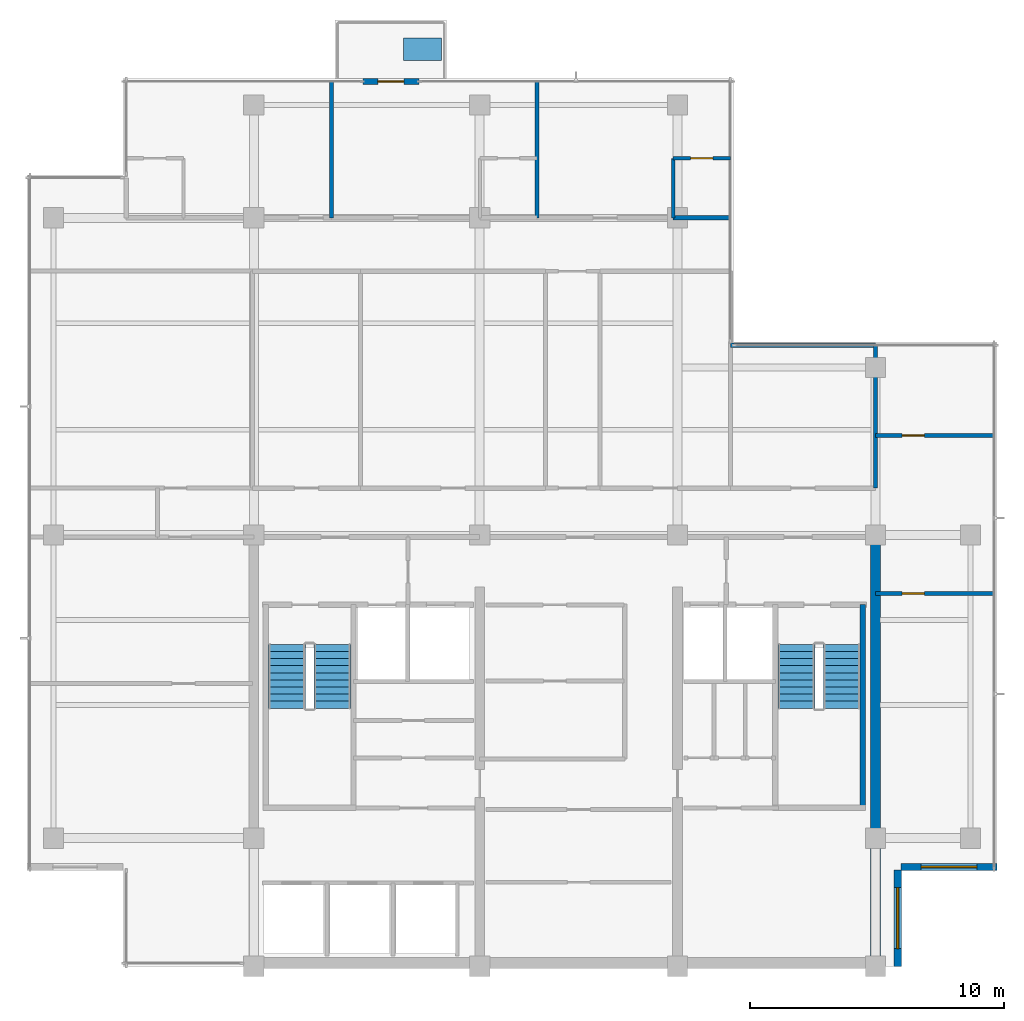
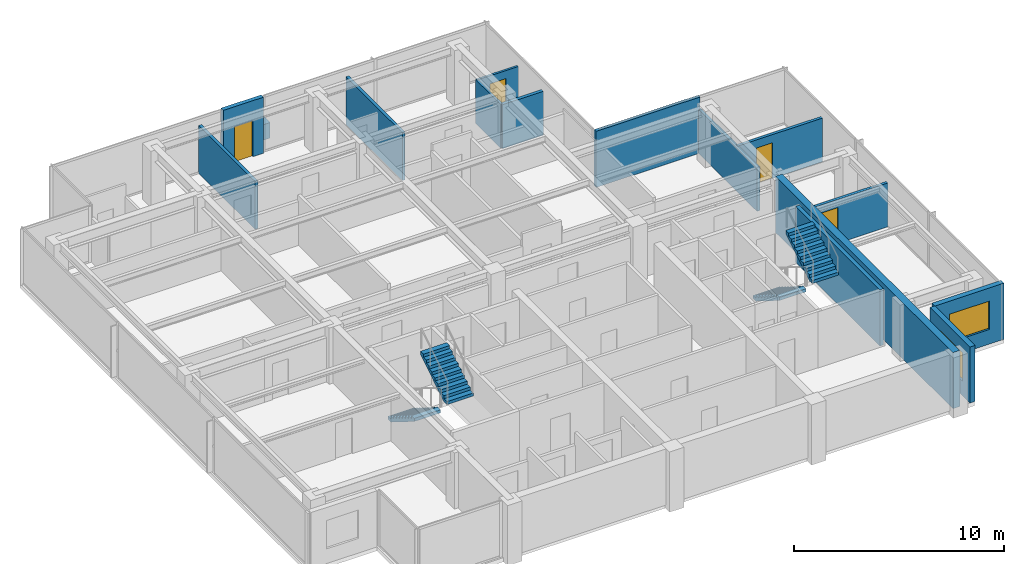
# One storey, part 8 of 11: 14 walls, 4 doors, 4 stair flights, 2 windows, 1 discrete accessory, 6 openings, 2 elements without a shape of their own.
"""IFC4 building model written with IfcOpenShell, lengths in metres."""

import ifcopenshell
import ifcopenshell.guid

model = None  # the IFC model being written
_history = None  # IfcOwnerHistory: only IFC2X3 demands one
_inside = {}  # id of a spatial element -> (the spatial element, [elements in it])
_under = {}  # id of a project, library or spatial element -> (it, [spatial elements below it])
_declared = {}  # id of a project -> (the project, [libraries it declares])
_typed = {}  # id of a type object -> (the type object, [elements of that type])
_made_of = {}  # id of a material, layer set ... -> (it, [elements and type objects made of it])


def new_model(schema):
    """Start an empty IFC model of exactly this schema.

    Asked for "IFC4X3", IfcOpenShell would pick the latest addendum, in which some entities
    have other attributes; the version numbers below select the first issue.
    IFC2X3 requires an IfcOwnerHistory on every rooted entity: one is made here for all.
    """
    global model, _history
    if schema == "IFC4X3":
        model = ifcopenshell.file(schema_version=(4, 3, 0, 0))
    else:
        model = ifcopenshell.file(schema=schema)
    _inside.clear()
    _under.clear()
    _declared.clear()
    _typed.clear()
    _made_of.clear()
    _history = None
    if model.schema == "IFC2X3":
        org = make("IfcOrganization", Name="unknown")
        user = make(
            "IfcPersonAndOrganization",
            ThePerson=make("IfcPerson", FamilyName="unknown"),
            TheOrganization=org,
        )
        app = make(
            "IfcApplication",
            ApplicationDeveloper=org,
            Version="unknown",
            ApplicationFullName="unknown",
            ApplicationIdentifier="unknown",
        )
        _history = make(
            "IfcOwnerHistory",
            OwningUser=user,
            OwningApplication=app,
            ChangeAction="ADDED",
            CreationDate=0,
        )
    return model


def make(cls, **values):
    """One entity of the class cls with the attributes given. An attribute that is None is left unset."""
    return model.create_entity(
        cls, **{name: value for name, value in values.items() if value is not None}
    )


def rooted(cls, **values):
    """An entity with a GlobalId (a new one), such as an element, a storey or a relation."""
    return make(cls, GlobalId=ifcopenshell.guid.new(), OwnerHistory=_history, **values)


def si_unit(unit_type, name, prefix=None):
    """IfcSIUnit, for example si_unit("LENGTHUNIT", "METRE", prefix="MILLI")."""
    return make("IfcSIUnit", UnitType=unit_type, Prefix=prefix, Name=name)


def assignment(units):
    """IfcUnitAssignment: the units of a project."""
    return None if units is None else make("IfcUnitAssignment", Units=units)


def point(xyz):
    """IfcCartesianPoint."""
    return None if xyz is None else make("IfcCartesianPoint", Coordinates=xyz)


def direction(xyz):
    """IfcDirection."""
    return None if xyz is None else make("IfcDirection", DirectionRatios=xyz)


def frame(location, z_axis=None, x_axis=None):
    """IfcAxis2Placement3D, a coordinate frame: its origin and axes. An axis left out is left unset."""
    return make(
        "IfcAxis2Placement3D",
        Location=point(location),
        Axis=direction(z_axis),
        RefDirection=direction(x_axis),
    )


def frame_2d(location, x_axis=None):
    """IfcAxis2Placement2D, a coordinate frame in the plane: its origin and x axis."""
    return make(
        "IfcAxis2Placement2D", Location=point(location), RefDirection=direction(x_axis)
    )


def origin():
    """The frame at (0, 0, 0) with its axes left unset."""
    return frame((0.0, 0.0, 0.0))


def place(relative_to, where):
    """IfcLocalPlacement: puts the frame where relative to a parent placement (None: the world)."""
    return make(
        "IfcLocalPlacement", PlacementRelTo=relative_to, RelativePlacement=where
    )


def context(
    kind, dimensions, precision=None, world=None, true_north=None, identifier=None
):
    """IfcGeometricRepresentationContext, for example the 3D "Model" context."""
    return make(
        "IfcGeometricRepresentationContext",
        ContextIdentifier=identifier,
        ContextType=kind,
        CoordinateSpaceDimension=dimensions,
        Precision=precision,
        WorldCoordinateSystem=world,
        TrueNorth=true_north,
    )


def subcontext(parent, identifier, kind, view, scale=None):
    """IfcGeometricRepresentationSubContext, for example "Body" below "Model"."""
    return make(
        "IfcGeometricRepresentationSubContext",
        ContextIdentifier=identifier,
        ContextType=kind,
        ParentContext=parent,
        TargetScale=scale,
        TargetView=view,
    )


def project(units=None, contexts=None):
    """IfcProject with its units and contexts."""
    return rooted(
        "IfcProject",
        Name="project",
        RepresentationContexts=contexts,
        UnitsInContext=assignment(units),
    )


def spatial(cls, under=None, at=None, **own):
    """A site, building, storey or space (cls), placed at a placement, below another one or the project."""
    s = rooted(cls, ObjectPlacement=at, **own)
    if under is not None:
        _under.setdefault(under.id(), (under, []))[1].append(s)
    return s


def polyline(points):
    """IfcPolyline through the points."""
    return make("IfcPolyline", Points=[point(p) for p in points])


def profile(cls, at=None, kind="AREA", **sizes):
    """A parametric profile (cls). Its sizes go by their IFC names, for example OverallWidth=200.0."""
    return make(cls, ProfileType=kind, Position=at, **sizes)


def rectangle(**sizes):
    """IfcRectangleProfileDef."""
    return profile("IfcRectangleProfileDef", **sizes)


def outline(outer, holes=None, kind="AREA"):
    """IfcArbitraryClosedProfileDef: a profile drawn as a closed curve; with holes, ...WithVoids."""
    if holes is None:
        return make("IfcArbitraryClosedProfileDef", ProfileType=kind, OuterCurve=outer)
    return make(
        "IfcArbitraryProfileDefWithVoids",
        ProfileType=kind,
        OuterCurve=outer,
        InnerCurves=holes,
    )


def extrude(swept, where, along, depth):
    """IfcExtrudedAreaSolid: the profile swept, set in the frame where, extruded along a direction by depth."""
    return make(
        "IfcExtrudedAreaSolid",
        SweptArea=swept,
        Position=where,
        ExtrudedDirection=direction(along),
        Depth=depth,
    )


def shape(context_of_items, identifier, shape_type, items):
    """IfcShapeRepresentation: the items that make up one representation, for example the "Body"."""
    return make(
        "IfcShapeRepresentation",
        ContextOfItems=context_of_items,
        RepresentationIdentifier=identifier,
        RepresentationType=shape_type,
        Items=items,
    )


def material(Name=None, Category=None):
    """IfcMaterial."""
    return make("IfcMaterial", Name=Name, Category=Category)


def layer(
    of_material, thickness, ventilated=None, Name=None, Category=None, Priority=None
):
    """IfcMaterialLayer: one layer of a wall or slab, of a material (None: an air gap)."""
    return make(
        "IfcMaterialLayer",
        Material=of_material,
        LayerThickness=thickness,
        IsVentilated=ventilated,
        Name=Name,
        Category=Category,
        Priority=Priority,
    )


def layer_set(layers, Name=None):
    """IfcMaterialLayerSet."""
    return make("IfcMaterialLayerSet", MaterialLayers=layers, LayerSetName=Name)


def made_of(thing, what):
    """Note that an element or type object is made of a material, layer set ...; save() writes the relation."""
    if what is not None:
        _made_of.setdefault(what.id(), (what, []))[1].append(thing)
    return thing


def type_object(cls, material=None, **own):
    """A type object (cls), such as IfcWallType, which elements share."""
    return made_of(rooted(cls, **own), material)


def element(
    cls,
    number,
    at=None,
    inside=None,
    cuts=None,
    type_object=None,
    material=None,
    context=None,
    identifier="Body",
    shape_type=None,
    held_by="IfcProductDefinitionShape",
    body=None,
    shapes=None,
    **own,
):
    """One element of the class cls, such as IfcWall. Its Tag is "e" and its number.

    at: its placement. inside: the storey or other place that contains it. cuts: it is an
    opening in that element (IfcRelVoidsElement). A single representation is given by context,
    identifier, shape_type and body (its items); several are given by shapes. held_by: the class
    of the entity that holds the representations. save() writes the other relations.
    """
    e = rooted(cls, Tag="e%d" % number, ObjectPlacement=at, **own)
    if body is not None:
        shapes = [shape(context, identifier, shape_type, body)]
    if shapes is not None:
        e.Representation = make(held_by, Representations=shapes)
    if inside is not None:
        _inside.setdefault(inside.id(), (inside, []))[1].append(e)
    if cuts is not None:
        rooted(
            "IfcRelVoidsElement", RelatingBuildingElement=cuts, RelatedOpeningElement=e
        )
    if type_object is not None:
        _typed.setdefault(type_object.id(), (type_object, []))[1].append(e)
    return made_of(e, material)


def fill(opening, filler):
    """IfcRelFillsElement: the door or window that sits in an opening."""
    return rooted(
        "IfcRelFillsElement",
        RelatingOpeningElement=opening,
        RelatedBuildingElement=filler,
    )


def aggregate(whole, parts):
    """IfcRelAggregates: a whole, such as a stair, and the parts it consists of."""
    return rooted("IfcRelAggregates", RelatingObject=whole, RelatedObjects=parts)


def save(model, path):
    """Write the relations noted so far, then the file.

    IfcRelAggregates (storeys below a building ...), IfcRelContainedInSpatialStructure (elements
    in a storey), IfcRelDefinesByType, IfcRelAssociatesMaterial and IfcRelDeclares: one each for
    every whole, place, type object, material and project.
    """
    for whole, parts in _under.values():
        aggregate(whole, parts)
    for where, things in _inside.values():
        rooted(
            "IfcRelContainedInSpatialStructure",
            RelatedElements=things,
            RelatingStructure=where,
        )
    for kind, things in _typed.values():
        rooted("IfcRelDefinesByType", RelatedObjects=things, RelatingType=kind)
    for what, things in _made_of.values():
        rooted("IfcRelAssociatesMaterial", RelatedObjects=things, RelatingMaterial=what)
    for by, libraries in _declared.values():
        rooted("IfcRelDeclares", RelatingContext=by, RelatedDefinitions=libraries)
    model.write(path)


model = new_model("IFC4")

# Units and contexts
model_context = context("Model", 3, precision=1e-05, world=origin(), true_north=direction((0.0, 1.0)))
body_context = subcontext(model_context, "Body", "Model", "MODEL_VIEW")
ifc_project = project(units=[si_unit("LENGTHUNIT", "METRE"), si_unit("AREAUNIT", "SQUARE_METRE"), si_unit("VOLUMEUNIT", "CUBIC_METRE"), si_unit("PLANEANGLEUNIT", "RADIAN"), si_unit("MASSUNIT", "GRAM", prefix="KILO")], contexts=[model_context])

# Site, building, storey
site_placement = place(None, origin())
site = spatial("IfcSite", under=ifc_project, at=site_placement, CompositionType="ELEMENT")
building_placement = place(site_placement, origin())
building = spatial("IfcBuilding", under=site, at=building_placement, Name="Qalmaran Belvedere Hotel", CompositionType="ELEMENT")
storey_placement = place(building_placement, frame((0.0, 0.0, 245.89990234375)))
storey = spatial("IfcBuildingStorey", under=building, at=storey_placement, Name="L63", CompositionType="ELEMENT", Elevation=245.89990234375)

# Wall, opening, door
ifc_material_1 = material(Name="Anodised Bronze Cladding")
ifc_layer_1 = layer(ifc_material_1, 0.22509765625, Name="Anodised Bronze Cladding")
ifc_layer_set_1 = layer_set([ifc_layer_1], Name="Anodised Bronze Cladding")
wall_type_1 = type_object("IfcWallType", Name="WL-BAL-PORT-225", PredefinedType="SOLIDWALL", material=ifc_layer_set_1)
wall_1_placement = place(storey_placement, frame((24.60009765625, 38.3798828125, 0.0), z_axis=(0.0, 0.0, 1.0), x_axis=(1.0, 0.0, 0.0)))
wall_1 = element("IfcWall", 1, at=wall_1_placement, inside=storey, type_object=wall_type_1, Name="L63 Tree Balcony Door Portal", PredefinedType="SOLIDWALL", context=body_context, shape_type="SweptSolid", body=[
    extrude(rectangle(XDim=2.199951171875, YDim=0.22509765625, at=frame_2d((1.10009765625, 0.0))), origin(), (0.0, 0.0, 1.0), 3.260009765625),
])
opening_1_placement = place(wall_1_placement, frame((0.590087890625, 0.0, 0.0)))
opening_1 = element("IfcOpeningElement", 2, at=opening_1_placement, cuts=wall_1, Name="Opening BL-102", PredefinedType="OPENING", context=body_context, shape_type="SweptSolid", body=[
    extrude(rectangle(XDim=1.02001953125, YDim=2.10009765625, at=frame_2d((0.510009765625, 1.050048828125))), frame((0.0, 0.12255859375, 0.0), z_axis=(0.0, -1.0, 0.0), x_axis=(1.0, 0.0, 0.0)), (0.0, 0.0, 1.0), 0.2451171875),
])
ifc_material_2 = material(Name="Anodised Bronze Aluminium", Category="aluminium")
door_type_1 = type_object("IfcDoorType", Name="DR-BAL-1020X2100", OperationType="NOTDEFINED", PredefinedType="DOOR", material=ifc_material_2)
door_1_placement = place(opening_1_placement, origin())
door_1 = element("IfcDoor", 3, at=door_1_placement, inside=storey, type_object=door_type_1, Name="L63 Planted Tree Balcony Door", OperationType="SINGLE_SWING_RIGHT", OverallHeight=2.10009765625, OverallWidth=1.02001953125, PredefinedType="DOOR", context=body_context, shape_type="SweptSolid", body=[
    extrude(rectangle(XDim=1.02001953125, YDim=2.10009765625, at=frame_2d((0.510009765625, 1.050048828125))), frame((0.0, 0.02490234375, 0.0), z_axis=(0.0, -1.0, 0.0), x_axis=(1.0, 0.0, 0.0)), (0.0, 0.0, 1.0), 0.050048828125),
])
fill(opening_1, door_1)

# Wall
ifc_material_3 = material(Name="Concrete C50/60", Category="concrete")
ifc_layer_2 = layer(ifc_material_3, 0.3798828125, Name="Concrete C50/60")
ifc_layer_set_2 = layer_set([ifc_layer_2], Name="Concrete C50/60")
wall_type_2 = type_object("IfcWallType", Name="WL-CORE-380-C50", PredefinedType="SHEAR", material=ifc_layer_set_2)
wall_2_placement = place(storey_placement, frame((44.800048828125, 3.5, 0.0), z_axis=(0.0, 0.0, 1.0), x_axis=(0.0, 1.0, 0.0)))
element("IfcWall", 4, at=wall_2_placement, inside=storey, type_object=wall_type_2, Name="L63 East Core Shear Wall", PredefinedType="SHEAR", context=body_context, shape_type="SweptSolid", body=[
    extrude(rectangle(XDim=16.89990234375, YDim=0.3798828125, at=frame_2d((8.449951171875, 0.0))), origin(), (0.0, 0.0, 1.0), 3.260009765625),
])

# Wall, opening, window
ifc_layer_3 = layer(ifc_material_1, 0.280029296875, Name="Anodised Bronze Cladding")
ifc_layer_set_3 = layer_set([ifc_layer_3], Name="Anodised Bronze Cladding")
wall_type_3 = type_object("IfcWallType", Name="WL-EXT-BRNZ-280", PredefinedType="SOLIDWALL", material=ifc_layer_set_3)
wall_3_placement = place(storey_placement, frame((45.679931640625, 3.5, 0.0), z_axis=(0.0, 0.0, 1.0), x_axis=(0.0, 1.0, 0.0)))
wall_3 = element("IfcWall", 5, at=wall_3_placement, inside=storey, type_object=wall_type_3, Name="L63 Corner Notch Wall 1", PredefinedType="SOLIDWALL", context=body_context, shape_type="SweptSolid", body=[
    extrude(rectangle(XDim=3.800048828125, YDim=0.280029296875, at=frame_2d((1.89990234375, 0.0))), origin(), (0.0, 0.0, 1.0), 3.260009765625),
])
opening_2_placement = place(wall_3_placement, frame((0.699951171875, 0.0, 0.85009765625)))
opening_2 = element("IfcOpeningElement", 6, at=opening_2_placement, cuts=wall_3, Name="Opening W-N24", PredefinedType="OPENING", context=body_context, shape_type="SweptSolid", body=[
    extrude(rectangle(XDim=2.39990234375, YDim=1.64990234375, at=frame_2d((1.199951171875, 0.824951171875))), frame((0.0, 0.14990234375, 0.0), z_axis=(0.0, -1.0, 0.0), x_axis=(1.0, 0.0, 0.0)), (0.0, 0.0, 1.0), 0.300048828125),
])
ifc_material_4 = material(Name="Solar-Control Double Glazing", Category="glass")
window_type_1 = type_object("IfcWindowType", Name="WN-NTC-2400X1650", PartitioningType="SINGLE_PANEL", PredefinedType="WINDOW", material=ifc_material_4)
window_1_placement = place(opening_2_placement, origin())
window_1 = element("IfcWindow", 7, at=window_1_placement, inside=storey, type_object=window_type_1, Name="L63 Corner Notch Window 1", OverallHeight=1.64990234375, OverallWidth=2.39990234375, PartitioningType="SINGLE_PANEL", PredefinedType="WINDOW", context=body_context, shape_type="SweptSolid", body=[
    extrude(rectangle(XDim=2.39990234375, YDim=1.64990234375, at=frame_2d((1.199951171875, 0.824951171875))), frame((0.0, 0.030029296875, 0.0), z_axis=(0.0, -1.0, 0.0), x_axis=(1.0, 0.0, 0.0)), (0.0, 0.0, 1.0), 0.06005859375),
])
fill(opening_2, window_1)

wall_4_placement = place(storey_placement, frame((45.800048828125, 7.419921875, 0.0), z_axis=(0.0, 0.0, 1.0), x_axis=(1.0, 0.0, 0.0)))
wall_4 = element("IfcWall", 8, at=wall_4_placement, inside=storey, type_object=wall_type_3, Name="L63 Corner Notch Wall 2", PredefinedType="SOLIDWALL", context=body_context, shape_type="SweptSolid", body=[
    extrude(rectangle(XDim=3.800048828125, YDim=0.280029296875, at=frame_2d((1.89990234375, 0.0))), origin(), (0.0, 0.0, 1.0), 3.260009765625),
])
opening_3_placement = place(wall_4_placement, frame((0.800048828125, 0.0, 0.85009765625)))
opening_3 = element("IfcOpeningElement", 9, at=opening_3_placement, cuts=wall_4, Name="Opening W-N22", PredefinedType="OPENING", context=body_context, shape_type="SweptSolid", body=[
    extrude(rectangle(XDim=2.199951171875, YDim=1.64990234375, at=frame_2d((1.10009765625, 0.824951171875))), frame((0.0, 0.14990234375, 0.0), z_axis=(0.0, -1.0, 0.0), x_axis=(1.0, 0.0, 0.0)), (0.0, 0.0, 1.0), 0.300048828125),
])
window_type_2 = type_object("IfcWindowType", Name="WN-NTC-2200X1650", PartitioningType="SINGLE_PANEL", PredefinedType="WINDOW", material=ifc_material_4)
window_2_placement = place(opening_3_placement, origin())
window_2 = element("IfcWindow", 10, at=window_2_placement, inside=storey, type_object=window_type_2, Name="L63 Corner Notch Window 2", OverallHeight=1.64990234375, OverallWidth=2.199951171875, PartitioningType="SINGLE_PANEL", PredefinedType="WINDOW", context=body_context, shape_type="SweptSolid", body=[
    extrude(rectangle(XDim=2.199951171875, YDim=1.64990234375, at=frame_2d((1.10009765625, 0.824951171875))), frame((0.0, 0.030029296875, 0.0), z_axis=(0.0, -1.0, 0.0), x_axis=(1.0, 0.0, 0.0)), (0.0, 0.0, 1.0), 0.06005859375),
])
fill(opening_3, window_2)

# Wall, opening, door
ifc_material_5 = material(Name="Moisture-Resistant Gypsum")
ifc_layer_4 = layer(ifc_material_5, 0.1201171875, Name="Moisture-Resistant Gypsum")
ifc_layer_set_4 = layer_set([ifc_layer_4], Name="Moisture-Resistant Gypsum")
wall_type_4 = type_object("IfcWallType", Name="WL-INT-120-BATH", PredefinedType="PARTITIONING", material=ifc_layer_set_4)
wall_5_placement = place(storey_placement, frame((36.830078125, 35.35009765625, 0.0), z_axis=(0.0, 0.0, 1.0), x_axis=(1.0, 0.0, 0.0)))
wall_5 = element("IfcWall", 11, at=wall_5_placement, inside=storey, type_object=wall_type_4, Name="L63 Partition WL-L63-NBN02", PredefinedType="PARTITIONING", context=body_context, shape_type="SweptSolid", body=[
    extrude(rectangle(XDim=2.25, YDim=0.1201171875, at=frame_2d((1.125, 0.0))), origin(), (0.0, 0.0, 1.0), 2.550048828125),
])
opening_4_placement = place(wall_5_placement, frame((1.56494140625, 0.0, 0.0), z_axis=(0.0, 0.0, 1.0), x_axis=(-1.0, 0.0, 0.0)))
opening_4 = element("IfcOpeningElement", 12, at=opening_4_placement, cuts=wall_5, Name="Opening D-BATH", PredefinedType="OPENING", context=body_context, shape_type="SweptSolid", body=[
    extrude(rectangle(XDim=0.8798828125, YDim=2.080078125, at=frame_2d((0.43994140625, 1.0400390625))), frame((0.0, 0.070068359375, 0.0), z_axis=(0.0, -1.0, 0.0), x_axis=(1.0, 0.0, 0.0)), (0.0, 0.0, 1.0), 0.14013671875),
])
ifc_material_6 = material(Name="Engineered Oak Veneer")
door_type_2 = type_object("IfcDoorType", Name="DR-INT-BATH-880X2080", OperationType="NOTDEFINED", PredefinedType="DOOR", material=ifc_material_6)
door_2_placement = place(opening_4_placement, origin())
door_2 = element("IfcDoor", 13, at=door_2_placement, inside=storey, type_object=door_type_2, Name="L63 Ensuite Bathroom Door N03", OperationType="SINGLE_SWING_RIGHT", OverallHeight=2.080078125, OverallWidth=0.8798828125, PredefinedType="DOOR", context=body_context, shape_type="SweptSolid", body=[
    extrude(rectangle(XDim=0.8798828125, YDim=2.080078125, at=frame_2d((0.43994140625, 1.0400390625))), frame((0.0, 0.02490234375, 0.0), z_axis=(0.0, -1.0, 0.0), x_axis=(1.0, 0.0, 0.0)), (0.0, 0.0, 1.0), 0.050048828125),
])
fill(opening_4, door_2)

# Wall
wall_6_placement = place(storey_placement, frame((36.830078125, 33.0, 0.0), z_axis=(0.0, 0.0, 1.0), x_axis=(0.0, 1.0, 0.0)))
element("IfcWall", 14, at=wall_6_placement, inside=storey, type_object=wall_type_4, Name="L63 Partition WL-L63-NBS02", PredefinedType="PARTITIONING", context=body_context, shape_type="SweptSolid", body=[
    extrude(rectangle(XDim=2.35009765625, YDim=0.1201171875, at=frame_2d((1.175048828125, 0.0))), origin(), (0.0, 0.0, 1.0), 2.550048828125),
])

# Wall, opening, door
ifc_material_7 = material(Name="Gypsum Stud Partition")
ifc_layer_5 = layer(ifc_material_7, 0.159912109375, Name="Gypsum Stud Partition")
ifc_layer_set_5 = layer_set([ifc_layer_5], Name="Gypsum Stud Partition")
wall_type_5 = type_object("IfcWallType", Name="WL-INT-160-EI60", PredefinedType="PARTITIONING", material=ifc_layer_set_5)
wall_7_placement = place(storey_placement, frame((44.800048828125, 18.199951171875, 0.0), z_axis=(0.0, 0.0, 1.0), x_axis=(1.0, 0.0, 0.0)))
wall_7 = element("IfcWall", 15, at=wall_7_placement, inside=storey, type_object=wall_type_5, Name="L63 Partition WL-L63-C4EES", PredefinedType="PARTITIONING", context=body_context, shape_type="SweptSolid", body=[
    extrude(rectangle(XDim=4.679931640625, YDim=0.159912109375, at=frame_2d((2.33984375, 0.0))), origin(), (0.0, 0.0, 1.0), 2.550048828125),
])
opening_5_placement = place(wall_7_placement, frame((1.929931640625, 0.0, 0.0), z_axis=(0.0, 0.0, 1.0), x_axis=(-1.0, 0.0, 0.0)))
opening_5 = element("IfcOpeningElement", 16, at=opening_5_placement, cuts=wall_7, Name="Opening FD60B", PredefinedType="OPENING", context=body_context, shape_type="SweptSolid", body=[
    extrude(rectangle(XDim=0.8798828125, YDim=2.080078125, at=frame_2d((0.43994140625, 1.0400390625))), frame((0.0, 0.08984375, 0.0), z_axis=(0.0, -1.0, 0.0), x_axis=(1.0, 0.0, 0.0)), (0.0, 0.0, 1.0), 0.179931640625),
])
ifc_material_8 = material(Name="Steel S355JR", Category="steel")
door_type_3 = type_object("IfcDoorType", Name="DR-FD60B-880X2080", OperationType="NOTDEFINED", PredefinedType="DOOR", material=ifc_material_8)
door_3_placement = place(opening_5_placement, origin())
door_3 = element("IfcDoor", 17, at=door_3_placement, inside=storey, type_object=door_type_3, Name="L63 East Reading Door", OperationType="SINGLE_SWING_RIGHT", OverallHeight=2.080078125, OverallWidth=0.8798828125, PredefinedType="DOOR", context=body_context, shape_type="SweptSolid", body=[
    extrude(rectangle(XDim=0.8798828125, YDim=2.080078125, at=frame_2d((0.43994140625, 1.0400390625))), frame((0.0, 0.02490234375, 0.0), z_axis=(0.0, -1.0, 0.0), x_axis=(1.0, 0.0, 0.0)), (0.0, 0.0, 1.0), 0.050048828125),
])
fill(opening_5, door_3)

wall_8_placement = place(storey_placement, frame((44.800048828125, 24.419921875, 0.0), z_axis=(0.0, 0.0, 1.0), x_axis=(1.0, 0.0, 0.0)))
wall_8 = element("IfcWall", 18, at=wall_8_placement, inside=storey, type_object=wall_type_5, Name="L63 Partition WL-L63-C4EEN", PredefinedType="PARTITIONING", context=body_context, shape_type="SweptSolid", body=[
    extrude(rectangle(XDim=4.679931640625, YDim=0.159912109375, at=frame_2d((2.33984375, 0.0))), origin(), (0.0, 0.0, 1.0), 2.550048828125),
])
opening_6_placement = place(wall_8_placement, frame((1.050048828125, 0.0, 0.0)))
opening_6 = element("IfcOpeningElement", 19, at=opening_6_placement, cuts=wall_8, Name="Opening FD60B", PredefinedType="OPENING", context=body_context, shape_type="SweptSolid", body=[
    extrude(rectangle(XDim=0.8798828125, YDim=2.080078125, at=frame_2d((0.43994140625, 1.0400390625))), frame((0.0, 0.08984375, 0.0), z_axis=(0.0, -1.0, 0.0), x_axis=(1.0, 0.0, 0.0)), (0.0, 0.0, 1.0), 0.179931640625),
])
door_4_placement = place(opening_6_placement, origin())
door_4 = element("IfcDoor", 20, at=door_4_placement, inside=storey, type_object=door_type_3, Name="L63 East Study Door", OperationType="SINGLE_SWING_LEFT", OverallHeight=2.080078125, OverallWidth=0.8798828125, PredefinedType="DOOR", context=body_context, shape_type="SweptSolid", body=[
    extrude(rectangle(XDim=0.8798828125, YDim=2.080078125, at=frame_2d((0.43994140625, 1.0400390625))), frame((0.0, 0.02490234375, 0.0), z_axis=(0.0, -1.0, 0.0), x_axis=(1.0, 0.0, 0.0)), (0.0, 0.0, 1.0), 0.050048828125),
])
fill(opening_6, door_4)

# Walls
wall_9_placement = place(storey_placement, frame((44.800048828125, 22.35009765625, 0.0), z_axis=(0.0, 0.0, 1.0), x_axis=(0.0, 1.0, 0.0)))
element("IfcWall", 21, at=wall_9_placement, inside=storey, type_object=wall_type_5, Name="L63 Partition WL-L63-C4MFVR1", PredefinedType="PARTITIONING", context=body_context, shape_type="SweptSolid", body=[
    extrude(rectangle(XDim=5.6298828125, YDim=0.159912109375, at=frame_2d((2.81494140625, 0.0))), origin(), (0.0, 0.0, 1.0), 2.550048828125),
])
for number, where, z_axis, x_axis, name in (
    (22, (23.365478515625, 33.0, 0.0), (0.0, 0.0, 1.0), (0.0, 1.0, 0.0), "L63 Partition WL-L63-NUR00"),
    (23, (31.460693359375, 33.0, 0.0), (0.0, 0.0, 1.0), (0.0, 1.0, 0.0), "L63 Partition WL-L63-NUR01"),
):
    element("IfcWall", number, at=place(storey_placement, frame(where, z_axis=z_axis, x_axis=x_axis)), inside=storey, type_object=wall_type_5, Name=name, PredefinedType="PARTITIONING", context=body_context, shape_type="SweptSolid", body=[
        extrude(rectangle(XDim=5.3798828125, YDim=0.159912109375, at=frame_2d((2.68994140625, 0.0))), origin(), (0.0, 0.0, 1.0), 2.781982421875),
    ])
ifc_layer_6 = layer(ifc_material_7, 0.179931640625, Name="Gypsum Stud Partition")
ifc_layer_set_6 = layer_set([ifc_layer_6], Name="Gypsum Stud Partition")
wall_type_6 = type_object("IfcWallType", Name="WL-INT-180-EI60", PredefinedType="PARTITIONING", material=ifc_layer_set_6)
wall_10_placement = place(storey_placement, frame((39.080078125, 27.97998046875, 0.0), z_axis=(0.0, 0.0, 1.0), x_axis=(1.0, 0.0, 0.0)))
element("IfcWall", 24, at=wall_10_placement, inside=storey, type_object=wall_type_6, Name="L63 Partition WL-L63-C4MFO1", PredefinedType="PARTITIONING", context=body_context, shape_type="SweptSolid", body=[
    extrude(rectangle(XDim=5.719970703125, YDim=0.179931640625, at=frame_2d((2.85986328125, 0.0))), origin(), (0.0, 0.0, 1.0), 3.260009765625),
])
wall_11_placement = place(storey_placement, frame((36.830078125, 33.0, 0.0), z_axis=(0.0, 0.0, 1.0), x_axis=(1.0, 0.0, 0.0)))
element("IfcWall", 25, at=wall_11_placement, inside=storey, type_object=wall_type_6, Name="L63 Partition WL-L63-NBC02", PredefinedType="PARTITIONING", context=body_context, shape_type="SweptSolid", body=[
    extrude(rectangle(XDim=2.25, YDim=0.179931640625, at=frame_2d((1.125, 0.0))), origin(), (0.0, 0.0, 1.0), 2.550048828125),
])
ifc_layer_7 = layer(ifc_material_3, 0.2099609375, Name="Concrete C50/60")
ifc_layer_set_7 = layer_set([ifc_layer_7], Name="Concrete C50/60")
wall_type_7 = type_object("IfcWallType", Name="WL-STAIR-210-C50", PredefinedType="SHEAR", material=ifc_layer_set_7)
wall_12_placement = place(storey_placement, frame((44.304931640625, 9.7451171875, 0.0), z_axis=(0.0, 0.0, 1.0), x_axis=(0.0, 1.0, 0.0)))
element("IfcWall", 26, at=wall_12_placement, inside=storey, type_object=wall_type_7, Name="L63 Stair ST-2 East Bearing Wall", PredefinedType="SHEAR", context=body_context, shape_type="SweptSolid", body=[
    extrude(rectangle(XDim=8.009765625, YDim=0.2099609375, at=frame_2d((4.0048828125, 0.0))), origin(), (0.0, 0.0, 1.0), 3.260009765625),
])

# Stair, stair flights
ifc_material_9 = material(Name="Concrete C40/50", Category="concrete")
stair_type_1 = type_object("IfcStairType", Name="STR-ST-1-1450-R1750", PredefinedType="HALF_TURN_STAIR", material=ifc_material_9)
stair_1_placement = place(storey_placement, origin())
stair_1 = element("IfcStair", 27, at=stair_1_placement, inside=storey, type_object=stair_type_1, Name="L63 West Core Exit Stair ST-1", PredefinedType="HALF_TURN_STAIR")
ifc_layer_8 = layer(ifc_material_9, 0.14990234375, Name="Concrete C40/50")
ifc_layer_set_8 = layer_set([ifc_layer_8], Name="Concrete C40/50")
stair_flight_type_1 = type_object("IfcStairFlightType", Name="STF-ST-1-1450-R1750", PredefinedType="STRAIGHT", material=ifc_layer_set_8)
stair_flight_1_placement = place(storey_placement, frame((21.60498046875, 16.18994140625, 0.0), z_axis=(0.0, 0.0, 1.0), x_axis=(0.0, -1.0, 0.0)))
stair_flight_1 = element("IfcStairFlight", 28, at=stair_flight_1_placement, type_object=stair_flight_type_1, Name="ST-1 flight 1", NumberOfRisers=10, NumberOfTreads=9, PredefinedType="STRAIGHT", RiserHeight=0.175, TreadLength=0.28, context=body_context, shape_type="SweptSolid", body=[
    extrude(outline(polyline([(0.0, 0.0), (0.0, 0.175048828125), (0.280029296875, 0.175048828125), (0.280029296875, 0.35009765625), (0.56005859375, 0.35009765625), (0.56005859375, 0.52490234375), (0.840087890625, 0.52490234375), (0.840087890625, 0.699951171875), (1.1201171875, 0.699951171875), (1.1201171875, 0.875), (1.39990234375, 0.875), (1.39990234375, 1.050048828125), (1.679931640625, 1.050048828125), (1.679931640625, 1.22509765625), (1.9599609375, 1.22509765625), (1.9599609375, 1.39990234375), (2.239990234375, 1.39990234375), (2.239990234375, 1.574951171875), (2.52001953125, 1.574951171875), (2.52001953125, 1.75), (2.52001953125, 1.398193359375), (0.28271484375, 0.0), (0.0, 0.0)])), frame((0.0, 0.72509765625, 0.0), z_axis=(0.0, -1.0, 0.0), x_axis=(1.0, 0.0, 0.0)), (0.0, 0.0, 1.0), 1.449951171875),
])
stair_flight_2_placement = place(storey_placement, frame((23.39501953125, 13.669921875, 1.75), z_axis=(0.0, 0.0, 1.0), x_axis=(0.0, 1.0, 0.0)))
stair_flight_2 = element("IfcStairFlight", 29, at=stair_flight_2_placement, type_object=stair_flight_type_1, Name="ST-1 flight 2", NumberOfRisers=10, NumberOfTreads=9, PredefinedType="STRAIGHT", RiserHeight=0.175, TreadLength=0.28, context=body_context, shape_type="SweptSolid", body=[
    extrude(outline(polyline([(0.0, 0.0), (0.0, 0.175048828125), (0.280029296875, 0.175048828125), (0.280029296875, 0.35009765625), (0.56005859375, 0.35009765625), (0.56005859375, 0.52490234375), (0.840087890625, 0.52490234375), (0.840087890625, 0.699951171875), (1.1201171875, 0.699951171875), (1.1201171875, 0.875), (1.39990234375, 0.875), (1.39990234375, 1.050048828125), (1.679931640625, 1.050048828125), (1.679931640625, 1.22509765625), (1.9599609375, 1.22509765625), (1.9599609375, 1.39990234375), (2.239990234375, 1.39990234375), (2.239990234375, 1.574951171875), (2.52001953125, 1.574951171875), (2.52001953125, 1.75), (2.52001953125, 1.398193359375), (0.28271484375, 0.0), (0.0, 0.0)])), frame((0.0, 0.72509765625, 0.0), z_axis=(0.0, -1.0, 0.0), x_axis=(1.0, 0.0, 0.0)), (0.0, 0.0, 1.0), 1.449951171875),
])
aggregate(stair_1, [stair_flight_1, stair_flight_2])

stair_type_2 = type_object("IfcStairType", Name="STR-ST-2-1450-R1750", PredefinedType="HALF_TURN_STAIR", material=ifc_material_9)
stair_2_placement = place(storey_placement, origin())
stair_2 = element("IfcStair", 30, at=stair_2_placement, inside=storey, type_object=stair_type_2, Name="L63 East Core Exit Stair ST-2", PredefinedType="HALF_TURN_STAIR")
ifc_layer_9 = layer(ifc_material_9, 0.14990234375, Name="Concrete C40/50")
ifc_layer_set_9 = layer_set([ifc_layer_9], Name="Concrete C40/50")
stair_flight_type_2 = type_object("IfcStairFlightType", Name="STF-ST-2-1450-R1750", PredefinedType="STRAIGHT", material=ifc_layer_set_9)
stair_flight_3_placement = place(storey_placement, frame((41.68505859375, 16.18994140625, 0.0), z_axis=(0.0, 0.0, 1.0), x_axis=(0.0, -1.0, 0.0)))
stair_flight_3 = element("IfcStairFlight", 31, at=stair_flight_3_placement, type_object=stair_flight_type_2, Name="ST-2 flight 1", NumberOfRisers=10, NumberOfTreads=9, PredefinedType="STRAIGHT", RiserHeight=0.175, TreadLength=0.28, context=body_context, shape_type="SweptSolid", body=[
    extrude(outline(polyline([(0.0, 0.0), (0.0, 0.175048828125), (0.280029296875, 0.175048828125), (0.280029296875, 0.35009765625), (0.56005859375, 0.35009765625), (0.56005859375, 0.52490234375), (0.840087890625, 0.52490234375), (0.840087890625, 0.699951171875), (1.1201171875, 0.699951171875), (1.1201171875, 0.875), (1.39990234375, 0.875), (1.39990234375, 1.050048828125), (1.679931640625, 1.050048828125), (1.679931640625, 1.22509765625), (1.9599609375, 1.22509765625), (1.9599609375, 1.39990234375), (2.239990234375, 1.39990234375), (2.239990234375, 1.574951171875), (2.52001953125, 1.574951171875), (2.52001953125, 1.75), (2.52001953125, 1.398193359375), (0.28271484375, 0.0), (0.0, 0.0)])), frame((0.0, 0.72509765625, 0.0), z_axis=(0.0, -1.0, 0.0), x_axis=(1.0, 0.0, 0.0)), (0.0, 0.0, 1.0), 1.449951171875),
])
stair_flight_4_placement = place(storey_placement, frame((43.47509765625, 13.669921875, 1.75), z_axis=(0.0, 0.0, 1.0), x_axis=(0.0, 1.0, 0.0)))
stair_flight_4 = element("IfcStairFlight", 32, at=stair_flight_4_placement, type_object=stair_flight_type_2, Name="ST-2 flight 2", NumberOfRisers=10, NumberOfTreads=9, PredefinedType="STRAIGHT", RiserHeight=0.175, TreadLength=0.28, context=body_context, shape_type="SweptSolid", body=[
    extrude(outline(polyline([(0.0, 0.0), (0.0, 0.175048828125), (0.280029296875, 0.175048828125), (0.280029296875, 0.35009765625), (0.56005859375, 0.35009765625), (0.56005859375, 0.52490234375), (0.840087890625, 0.52490234375), (0.840087890625, 0.699951171875), (1.1201171875, 0.699951171875), (1.1201171875, 0.875), (1.39990234375, 0.875), (1.39990234375, 1.050048828125), (1.679931640625, 1.050048828125), (1.679931640625, 1.22509765625), (1.9599609375, 1.22509765625), (1.9599609375, 1.39990234375), (2.239990234375, 1.39990234375), (2.239990234375, 1.574951171875), (2.52001953125, 1.574951171875), (2.52001953125, 1.75), (2.52001953125, 1.398193359375), (0.28271484375, 0.0), (0.0, 0.0)])), frame((0.0, 0.72509765625, 0.0), z_axis=(0.0, -1.0, 0.0), x_axis=(1.0, 0.0, 0.0)), (0.0, 0.0, 1.0), 1.449951171875),
])
aggregate(stair_2, [stair_flight_3, stair_flight_4])

# Discrete accessory
discrete_accessory_type = type_object("IfcDiscreteAccessoryType", Name="PLN-BAL-1500", PredefinedType="USERDEFINED", material=ifc_material_9)
discrete_accessory_placement = place(storey_placement, origin())
element("IfcDiscreteAccessory", 33, at=discrete_accessory_placement, inside=storey, type_object=discrete_accessory_type, Name="L63 Sky Tree Planter", ObjectType="PLANTER", PredefinedType="USERDEFINED", context=body_context, shape_type="SweptSolid", body=[
    extrude(outline(polyline([(26.199951171875, 39.199951171875), (27.699951171875, 39.199951171875), (27.699951171875, 40.10009765625), (26.199951171875, 40.10009765625), (26.199951171875, 39.199951171875)])), origin(), (0.0, 0.0, 1.0), 0.900146484375),
])

save(model, "model.ifc")
